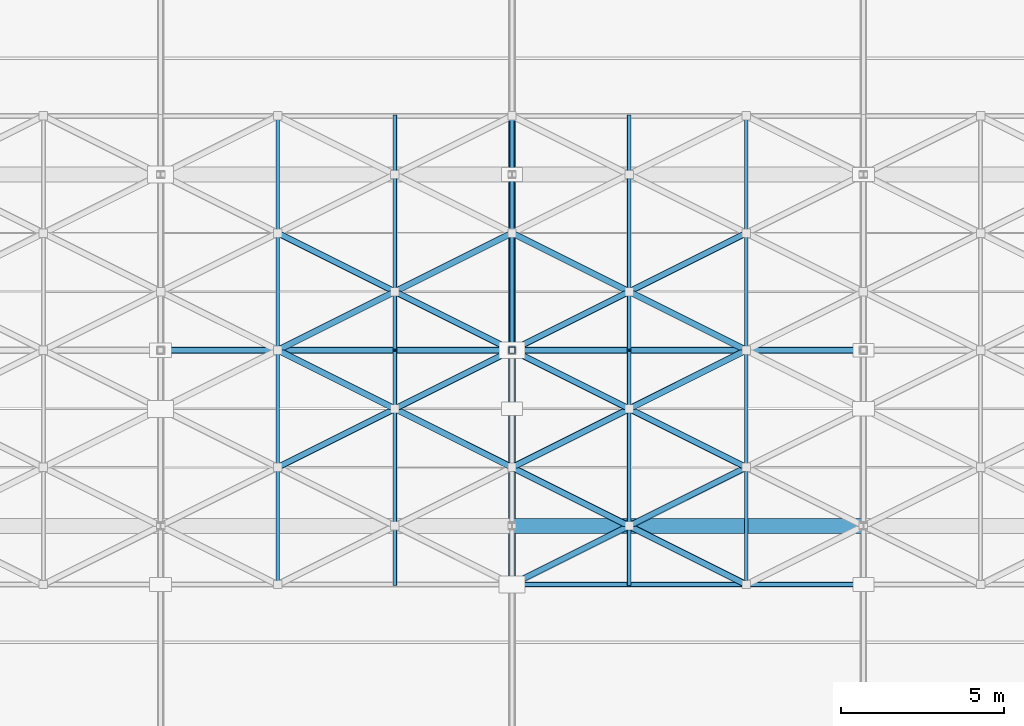
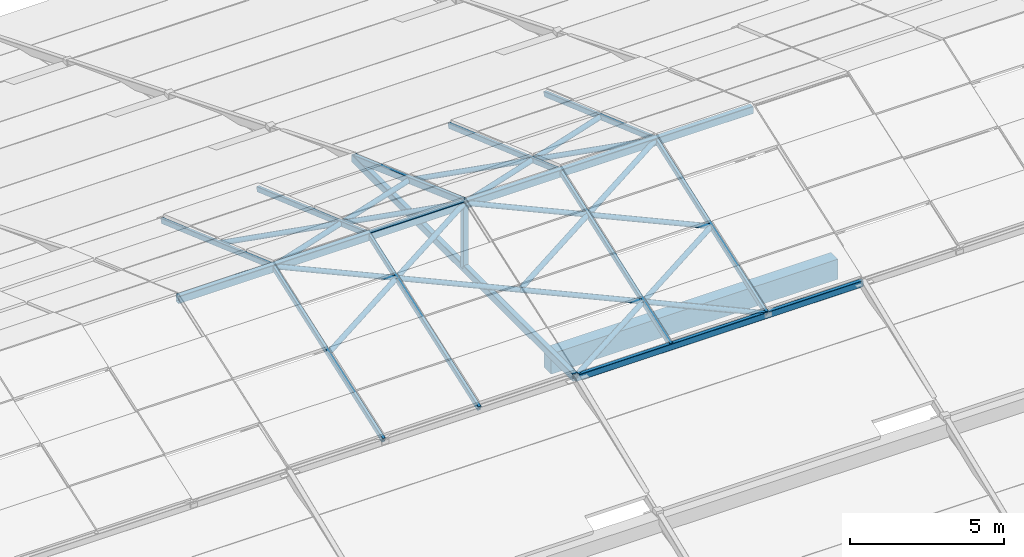
# One storey, part 62 of 112: 34 members, 1 beam.
"""IFC4 building model written with IfcOpenShell, lengths in metres."""

from ifc_helpers import new_model, si_unit, direction, frame, origin, origin_2d, place, context, subcontext, project, spatial, rectangle, hollow_rectangle, hollow_circle, extrude, material, material_profile, profile_set, type_object, element, save


model = new_model("IFC4")

# Units and contexts
model_context = context("Model", 3, precision=1e-05, world=origin(), true_north=direction((0.0, 1.0)))
body_context = subcontext(model_context, "Body", "Model", "MODEL_VIEW")
ifc_project = project(units=[si_unit("LENGTHUNIT", "METRE"), si_unit("AREAUNIT", "SQUARE_METRE"), si_unit("VOLUMEUNIT", "CUBIC_METRE"), si_unit("PLANEANGLEUNIT", "RADIAN"), si_unit("MASSUNIT", "GRAM", prefix="KILO")], contexts=[model_context])

# Site, building, storey
site_placement = place(None, origin())
site = spatial("IfcSite", under=ifc_project, at=site_placement, CompositionType="ELEMENT")
building_placement = place(site_placement, origin())
building = spatial("IfcBuilding", under=site, at=building_placement, Name="Zwinboog Wholesale Market", CompositionType="ELEMENT")
storey_placement = place(building_placement, frame((0.0, 0.0, 19.080078125)))
storey = spatial("IfcBuildingStorey", under=building, at=storey_placement, Name="Roof", CompositionType="ELEMENT", Elevation=19.080078125)

# Beam
ifc_material_1 = material(Name="Precast concrete C45/55", Category="concrete")
ifc_material_profile_1 = material_profile(ifc_material_1, rectangle(XDim=0.449951171875, YDim=0.800048828125, at=origin_2d()), Name="PC 450x800")
ifc_profile_set_1 = profile_set([ifc_material_profile_1], Name="Precast concrete C45/55")
beam_type = type_object("IfcBeamType", Name="BT-07", PredefinedType="BEAM", material=ifc_profile_set_1)
beam_placement = place(storey_placement, frame((151.199951171875, 70.199951171875, 0.16796875), z_axis=(1.0, 0.0, 0.0), x_axis=(0.0, 1.0, 0.0)))
element("IfcBeam", 1, at=beam_placement, inside=storey, type_object=beam_type, Name="EB-02 (BMG-Roof-1512-0702-1133)", PredefinedType="BEAM", context=body_context, shape_type="SweptSolid", body=[
    extrude(rectangle(XDim=0.449951171875, YDim=0.800048828125, at=origin_2d()), origin(), (0.0, 0.0, 1.0), 10.800048828125),
])

# Members
ifc_material_2 = material(Name="Steel S355", Category="steel")
ifc_material_profile_2 = material_profile(ifc_material_2, hollow_rectangle(XDim=0.199951171875, YDim=0.300048828125, WallThickness=0.012451171875, InnerFilletRadius=0.012451171875, OuterFilletRadius=0.02490234375, at=origin_2d()), Name="RHS 300x200x12.5")
ifc_profile_set_2 = profile_set([ifc_material_profile_2], Name="Steel S355")
member_type_1 = type_object("IfcMemberType", Name="MT-01", PredefinedType="CHORD", material=ifc_profile_set_2)
member_1_placement = place(storey_placement, frame((151.199951171875, 68.39990234375, 0.619873046875), z_axis=(0.0, 1.0, 0.0), x_axis=(-1.0, 0.0, 0.0)))
element("IfcMember", 2, at=member_1_placement, inside=storey, type_object=member_type_1, Name="DC-01 (MEM-Roof-0267)", PredefinedType="CHORD", context=body_context, shape_type="SweptSolid", body=[
    extrude(hollow_rectangle(XDim=0.199951171875, YDim=0.300048828125, WallThickness=0.012451171875, InnerFilletRadius=0.012451171875, OuterFilletRadius=0.02490234375, at=origin_2d()), origin(), (0.0, 0.0, 1.0), 14.400146484375),
])
for number, where, z_axis, x_axis, name in (
    (3, (140.39990234375, 75.60009765625, 3.139892578125), (1.0, 0.0, 0.0), (0.0, 1.0, 0.0), "DC-01 (MEM-Roof-0352)"),
    (4, (151.199951171875, 75.60009765625, 3.139892578125), (1.0, 0.0, 0.0), (0.0, 1.0, 0.0), "DC-01 (MEM-Roof-0355)"),
):
    element("IfcMember", number, at=place(storey_placement, frame(where, z_axis=z_axis, x_axis=x_axis)), inside=storey, type_object=member_type_1, Name=name, PredefinedType="CHORD", context=body_context, shape_type="SweptSolid", body=[
        extrude(hollow_rectangle(XDim=0.199951171875, YDim=0.300048828125, WallThickness=0.012451171875, InnerFilletRadius=0.012451171875, OuterFilletRadius=0.02490234375, at=origin_2d()), origin(), (0.0, 0.0, 1.0), 10.800048828125),
    ])
ifc_material_profile_3 = material_profile(ifc_material_2, hollow_rectangle(XDim=0.14990234375, YDim=0.25, WallThickness=0.010009765625, InnerFilletRadius=0.010009765625, OuterFilletRadius=0.02001953125, at=origin_2d()), Name="RHS 250x150x10")
ifc_profile_set_3 = profile_set([ifc_material_profile_3], Name="Steel S355")
member_type_2 = type_object("IfcMemberType", Name="MT-02", PredefinedType="CHORD", material=ifc_profile_set_3)
member_2_placement = place(storey_placement, frame((151.199951171875, 82.800048828125, 0.619873046875), z_axis=(0.0, -0.940549088473, 0.339657786858), x_axis=(1.0, 0.0, 0.0)))
element("IfcMember", 5, at=member_2_placement, inside=storey, type_object=member_type_2, Name="DC-02 (MEM-Roof-0270)", PredefinedType="CHORD", context=body_context, shape_type="SweptSolid", body=[
    extrude(hollow_rectangle(XDim=0.14990234375, YDim=0.25, WallThickness=0.010009765625, InnerFilletRadius=0.010009765625, OuterFilletRadius=0.02001953125, at=origin_2d()), origin(), (0.0, 0.0, 1.0), 7.655029296875),
])
member_3_placement = place(storey_placement, frame((151.199951171875, 68.39990234375, 0.58984375), z_axis=(1.0, 0.0, 0.0), x_axis=(0.0, 1.0, 0.0)))
element("IfcMember", 6, at=member_3_placement, inside=storey, type_object=member_type_2, Name="DC-02 (MEM-Roof-0356)", PredefinedType="CHORD", context=body_context, shape_type="SweptSolid", body=[
    extrude(hollow_rectangle(XDim=0.14990234375, YDim=0.25, WallThickness=0.010009765625, InnerFilletRadius=0.010009765625, OuterFilletRadius=0.02001953125, at=origin_2d()), origin(), (0.0, 0.0, 1.0), 10.800048828125),
])
ifc_material_profile_4 = material_profile(ifc_material_2, hollow_rectangle(XDim=0.1201171875, YDim=0.199951171875, WallThickness=0.008056640625, InnerFilletRadius=0.008056640625, OuterFilletRadius=0.01611328125, at=origin_2d()), Name="RHS 200x120x8")
ifc_profile_set_4 = profile_set([ifc_material_profile_4], Name="Steel S355")
member_type_3 = type_object("IfcMemberType", Name="MT-03", PredefinedType="CHORD", material=ifc_profile_set_4)
member_4_placement = place(storey_placement, frame((144.0, 68.39990234375, 0.6298828125), z_axis=(0.0, 0.942628063348, 0.333844775589), x_axis=(-1.0, 0.0, 0.0)))
element("IfcMember", 7, at=member_4_placement, inside=storey, type_object=member_type_3, Name="DC-03 (MEM-Roof-0581)", PredefinedType="CHORD", context=body_context, shape_type="SweptSolid", body=[
    extrude(hollow_rectangle(XDim=0.1201171875, YDim=0.199951171875, WallThickness=0.008056640625, InnerFilletRadius=0.008056640625, OuterFilletRadius=0.01611328125, at=origin_2d()), origin(), (0.0, 0.0, 1.0), 7.638427734375),
])
member_5_placement = place(storey_placement, frame((144.0, 82.800048828125, 0.6298828125), z_axis=(0.0, -0.94262450093, 0.333854834092), x_axis=(1.0, 0.0, 0.0)))
element("IfcMember", 8, at=member_5_placement, inside=storey, type_object=member_type_3, Name="DC-03 (MEM-Roof-0582)", PredefinedType="CHORD", context=body_context, shape_type="SweptSolid", body=[
    extrude(hollow_rectangle(XDim=0.1201171875, YDim=0.199951171875, WallThickness=0.008056640625, InnerFilletRadius=0.008056640625, OuterFilletRadius=0.01611328125, at=origin_2d()), origin(), (0.0, 0.0, 1.0), 7.63818359375),
])
member_6_placement = place(storey_placement, frame((147.60009765625, 68.39990234375, 0.6298828125), z_axis=(0.0, 0.942628063348, 0.333844775589), x_axis=(-1.0, 0.0, 0.0)))
element("IfcMember", 9, at=member_6_placement, inside=storey, type_object=member_type_3, Name="DC-03 (MEM-Roof-0591)", PredefinedType="CHORD", context=body_context, shape_type="SweptSolid", body=[
    extrude(hollow_rectangle(XDim=0.1201171875, YDim=0.199951171875, WallThickness=0.008056640625, InnerFilletRadius=0.008056640625, OuterFilletRadius=0.01611328125, at=origin_2d()), origin(), (0.0, 0.0, 1.0), 7.638427734375),
])
member_7_placement = place(storey_placement, frame((147.60009765625, 82.800048828125, 0.6298828125), z_axis=(0.0, -0.94262450093, 0.333854834092), x_axis=(1.0, 0.0, 0.0)))
element("IfcMember", 10, at=member_7_placement, inside=storey, type_object=member_type_3, Name="DC-03 (MEM-Roof-0592)", PredefinedType="CHORD", context=body_context, shape_type="SweptSolid", body=[
    extrude(hollow_rectangle(XDim=0.1201171875, YDim=0.199951171875, WallThickness=0.008056640625, InnerFilletRadius=0.008056640625, OuterFilletRadius=0.01611328125, at=origin_2d()), origin(), (0.0, 0.0, 1.0), 7.63818359375),
])
member_8_placement = place(storey_placement, frame((154.800048828125, 68.39990234375, 0.6298828125), z_axis=(0.0, 0.942628063348, 0.333844775589), x_axis=(-1.0, 0.0, 0.0)))
element("IfcMember", 11, at=member_8_placement, inside=storey, type_object=member_type_3, Name="DC-03 (MEM-Roof-0611)", PredefinedType="CHORD", context=body_context, shape_type="SweptSolid", body=[
    extrude(hollow_rectangle(XDim=0.1201171875, YDim=0.199951171875, WallThickness=0.008056640625, InnerFilletRadius=0.008056640625, OuterFilletRadius=0.01611328125, at=origin_2d()), origin(), (0.0, 0.0, 1.0), 7.638427734375),
])
member_9_placement = place(storey_placement, frame((154.800048828125, 82.800048828125, 0.6298828125), z_axis=(0.0, -0.94262450093, 0.333854834092), x_axis=(1.0, 0.0, 0.0)))
element("IfcMember", 12, at=member_9_placement, inside=storey, type_object=member_type_3, Name="DC-03 (MEM-Roof-0612)", PredefinedType="CHORD", context=body_context, shape_type="SweptSolid", body=[
    extrude(hollow_rectangle(XDim=0.1201171875, YDim=0.199951171875, WallThickness=0.008056640625, InnerFilletRadius=0.008056640625, OuterFilletRadius=0.01611328125, at=origin_2d()), origin(), (0.0, 0.0, 1.0), 7.63818359375),
])
member_10_placement = place(storey_placement, frame((158.39990234375, 68.39990234375, 0.6298828125), z_axis=(0.0, 0.942628063348, 0.333844775589), x_axis=(-1.0, 0.0, 0.0)))
element("IfcMember", 13, at=member_10_placement, inside=storey, type_object=member_type_3, Name="DC-03 (MEM-Roof-0621)", PredefinedType="CHORD", context=body_context, shape_type="SweptSolid", body=[
    extrude(hollow_rectangle(XDim=0.1201171875, YDim=0.199951171875, WallThickness=0.008056640625, InnerFilletRadius=0.008056640625, OuterFilletRadius=0.01611328125, at=origin_2d()), origin(), (0.0, 0.0, 1.0), 7.638427734375),
])
member_11_placement = place(storey_placement, frame((158.39990234375, 82.800048828125, 0.6298828125), z_axis=(0.0, -0.94262450093, 0.333854834092), x_axis=(1.0, 0.0, 0.0)))
element("IfcMember", 14, at=member_11_placement, inside=storey, type_object=member_type_3, Name="DC-03 (MEM-Roof-0622)", PredefinedType="CHORD", context=body_context, shape_type="SweptSolid", body=[
    extrude(hollow_rectangle(XDim=0.1201171875, YDim=0.199951171875, WallThickness=0.008056640625, InnerFilletRadius=0.008056640625, OuterFilletRadius=0.01611328125, at=origin_2d()), origin(), (0.0, 0.0, 1.0), 7.63818359375),
])
ifc_material_profile_5 = material_profile(ifc_material_2, hollow_rectangle(XDim=0.199951171875, YDim=0.199951171875, WallThickness=0.010009765625, InnerFilletRadius=0.010009765625, OuterFilletRadius=0.02001953125, at=origin_2d()), Name="SHS 200x200x10")
ifc_profile_set_5 = profile_set([ifc_material_profile_5], Name="Steel S355")
member_type_4 = type_object("IfcMemberType", Name="MT-04", PredefinedType="BRACE", material=ifc_profile_set_5)
member_12_placement = place(storey_placement, frame((151.199951171875, 75.60009765625, 0.619873046875), z_axis=(0.0, 0.0, 1.0), x_axis=(1.0, 0.0, 0.0)))
element("IfcMember", 15, at=member_12_placement, inside=storey, type_object=member_type_4, Name="DB-01 (MEM-Roof-0268)", PredefinedType="BRACE", context=body_context, shape_type="SweptSolid", body=[
    extrude(hollow_rectangle(XDim=0.199951171875, YDim=0.199951171875, WallThickness=0.010009765625, InnerFilletRadius=0.010009765625, OuterFilletRadius=0.02001953125, at=origin_2d()), origin(), (0.0, 0.0, 1.0), 2.60009765625),
])
ifc_material_profile_6 = material_profile(ifc_material_2, hollow_circle(Radius=0.096923828125, WallThickness=0.010009765625, at=origin_2d()), Name="CHS 193.7x10")
ifc_profile_set_6 = profile_set([ifc_material_profile_6], Name="Steel S355")
member_type_5 = type_object("IfcMemberType", Name="MT-06", PredefinedType="BRACE", material=ifc_profile_set_6)
for number, where, z_axis, x_axis, name in (
    (16, (144.0, 72.0, 1.905029296875), (0.883417044144, 0.441708522072, 0.156422209566), (-0.4472135955, 0.894427191, 0.0), "DB-03 (MEM-Roof-0585)"),
    (17, (144.0, 75.60009765625, 3.179931640625), (0.883417044144, -0.441708522072, -0.156422209566), (0.4472135955, 0.894427191, 0.0), "DB-03 (MEM-Roof-0586)"),
    (18, (144.0, 75.60009765625, 3.179931640625), (0.883440420719, 0.441660299847, -0.156426348738), (-0.447165069061, 0.894451452574, 0.0), "DB-03 (MEM-Roof-0587)"),
    (19, (144.0, 79.199951171875, 1.905029296875), (0.883417044144, -0.441708522072, 0.156422209566), (0.4472135955, 0.894427191, 0.0), "DB-03 (MEM-Roof-0588)"),
):
    element("IfcMember", number, at=place(storey_placement, frame(where, z_axis=z_axis, x_axis=x_axis)), inside=storey, type_object=member_type_5, Name=name, PredefinedType="BRACE", context=body_context, shape_type="SweptSolid", body=[
        extrude(hollow_circle(Radius=0.096923828125, WallThickness=0.010009765625, at=origin_2d()), origin(), (0.0, 0.0, 1.0), 4.0751953125),
    ])
for number, where, z_axis, x_axis, name in (
    (20, (147.60009765625, 73.800048828125, 2.54248046875), (0.883403888637, -0.441731900368, -0.15643048852), (0.447237858884, 0.894415058897, 0.0), "DB-03 (MEM-Roof-0595)"),
    (21, (147.60009765625, 73.800048828125, 2.54248046875), (0.883403888637, 0.441731900368, 0.15643048852), (-0.447237858884, 0.894415058897, 0.0), "DB-03 (MEM-Roof-0596)"),
    (22, (147.60009765625, 77.39990234375, 2.54248046875), (0.883427267339, -0.441683676827, 0.15643462835), (0.447189331129, 0.894439322774, 0.0), "DB-03 (MEM-Roof-0597)"),
    (23, (147.60009765625, 77.39990234375, 2.54248046875), (0.883403888637, 0.441731900368, -0.15643048852), (-0.447237858884, 0.894415058897, 0.0), "DB-03 (MEM-Roof-0598)"),
):
    element("IfcMember", number, at=place(storey_placement, frame(where, z_axis=z_axis, x_axis=x_axis)), inside=storey, type_object=member_type_5, Name=name, PredefinedType="BRACE", context=body_context, shape_type="SweptSolid", body=[
        extrude(hollow_circle(Radius=0.096923828125, WallThickness=0.010009765625, at=origin_2d()), origin(), (0.0, 0.0, 1.0), 4.074951171875),
    ])
for number, where, z_axis, x_axis, name in (
    (24, (151.199951171875, 68.39990234375, 0.6298828125), (0.883417044144, 0.441708522072, 0.156422209566), (-0.4472135955, 0.894427191, 0.0), "DB-03 (MEM-Roof-0603)"),
    (25, (151.199951171875, 72.0, 1.905029296875), (0.883408764097, -0.441704382048, -0.156480651826), (0.4472135955, 0.894427191, 0.0), "DB-03 (MEM-Roof-0604)"),
    (26, (151.199951171875, 72.0, 1.905029296875), (0.883417044144, 0.441708522072, 0.156422209566), (-0.4472135955, 0.894427191, 0.0), "DB-03 (MEM-Roof-0605)"),
    (27, (151.199951171875, 75.60009765625, 3.179931640625), (0.883417044144, -0.441708522072, -0.156422209566), (0.4472135955, 0.894427191, 0.0), "DB-03 (MEM-Roof-0606)"),
    (28, (151.199951171875, 75.60009765625, 3.179931640625), (0.883440420719, 0.441660299847, -0.156426348738), (-0.447165069061, 0.894451452574, 0.0), "DB-03 (MEM-Roof-0607)"),
    (29, (151.199951171875, 79.199951171875, 1.905029296875), (0.883417044144, -0.441708522072, 0.156422209566), (0.4472135955, 0.894427191, 0.0), "DB-03 (MEM-Roof-0608)"),
):
    element("IfcMember", number, at=place(storey_placement, frame(where, z_axis=z_axis, x_axis=x_axis)), inside=storey, type_object=member_type_5, Name=name, PredefinedType="BRACE", context=body_context, shape_type="SweptSolid", body=[
        extrude(hollow_circle(Radius=0.096923828125, WallThickness=0.010009765625, at=origin_2d()), origin(), (0.0, 0.0, 1.0), 4.0751953125),
    ])
for number, where, z_axis, x_axis, name in (
    (30, (154.800048828125, 70.199951171875, 1.267333984375), (0.883403888637, -0.441731900368, -0.15643048852), (0.447237858884, 0.894415058897, 0.0), "DB-03 (MEM-Roof-0613)"),
    (31, (154.800048828125, 70.199951171875, 1.267333984375), (0.883395607837, 0.441727759687, 0.156488933718), (-0.447237858884, 0.894415058897, 0.0), "DB-03 (MEM-Roof-0614)"),
    (32, (154.800048828125, 73.800048828125, 2.54248046875), (0.883403888637, -0.441731900368, -0.15643048852), (0.447237858884, 0.894415058897, 0.0), "DB-03 (MEM-Roof-0615)"),
    (33, (154.800048828125, 73.800048828125, 2.54248046875), (0.883403888637, 0.441731900368, 0.15643048852), (-0.447237858884, 0.894415058897, 0.0), "DB-03 (MEM-Roof-0616)"),
    (34, (154.800048828125, 77.39990234375, 2.54248046875), (0.883427267339, -0.441683676827, 0.15643462835), (0.447189331129, 0.894439322774, 0.0), "DB-03 (MEM-Roof-0617)"),
    (35, (154.800048828125, 77.39990234375, 2.54248046875), (0.883403888637, 0.441731900368, -0.15643048852), (-0.447237858884, 0.894415058897, 0.0), "DB-03 (MEM-Roof-0618)"),
):
    element("IfcMember", number, at=place(storey_placement, frame(where, z_axis=z_axis, x_axis=x_axis)), inside=storey, type_object=member_type_5, Name=name, PredefinedType="BRACE", context=body_context, shape_type="SweptSolid", body=[
        extrude(hollow_circle(Radius=0.096923828125, WallThickness=0.010009765625, at=origin_2d()), origin(), (0.0, 0.0, 1.0), 4.074951171875),
    ])

save(model, "model.ifc")
